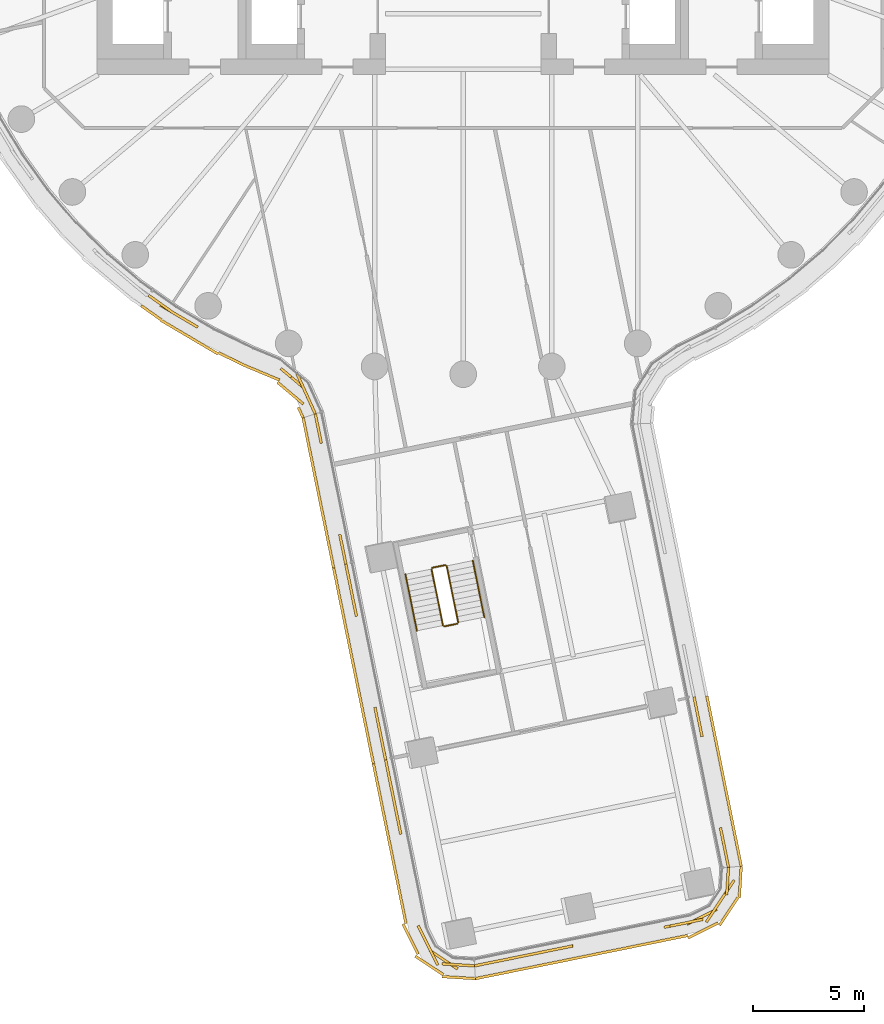
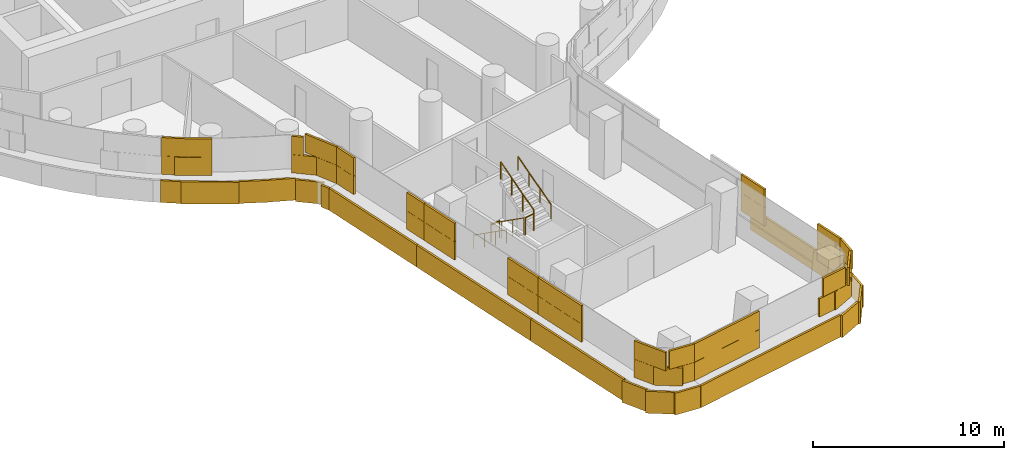
# One storey, part 24 of 31: 6 coverings, 6 railings.
"""IFC4 building model written with IfcOpenShell, lengths in metres."""

from ifc_helpers import new_model, si_unit, direction, frame, origin, origin_2d, place, context, subcontext, project, spatial, rectangle, circle, extrude, material, layer, layer_set, type_object, element, save


model = new_model("IFC4")

# Units and contexts
model_context = context("Model", 3, precision=1e-05, world=origin(), true_north=direction((0.0, 1.0)))
body_context = subcontext(model_context, "Body", "Model", "MODEL_VIEW")
ifc_project = project(units=[si_unit("LENGTHUNIT", "METRE"), si_unit("AREAUNIT", "SQUARE_METRE"), si_unit("VOLUMEUNIT", "CUBIC_METRE"), si_unit("PLANEANGLEUNIT", "RADIAN"), si_unit("MASSUNIT", "GRAM", prefix="KILO")], contexts=[model_context])

# Site, building, storey
site_placement = place(None, origin())
site = spatial("IfcSite", under=ifc_project, at=site_placement, CompositionType="ELEMENT")
building_placement = place(site_placement, origin())
building = spatial("IfcBuilding", under=site, at=building_placement, Name="Tamarind Cross Interchange Tower", CompositionType="ELEMENT")
storey_placement = place(building_placement, frame((0.0, 0.0, 75.25)))
storey = spatial("IfcBuildingStorey", under=building, at=storey_placement, Name="L17", CompositionType="ELEMENT", Elevation=75.25)

# Railings
ifc_material_1 = material(Name="Stair guard")
railing_type_1 = type_object("IfcRailingType", Name="Stair guard", PredefinedType="GUARDRAIL", material=ifc_material_1)
railing_1_placement = place(storey_placement, frame((-1.429931640625, -31.781005859375, 0.17041015625)))
element("IfcRailing", 1, at=railing_1_placement, inside=storey, type_object=railing_type_1, Name="L17 ST6 stair guard 1", PredefinedType="GUARDRAIL", context=body_context, shape_type="SweptSolid", body=[
    extrude(circle(Radius=0.02392578125, at=origin_2d()), frame((0.0, 0.0, 1.076171875), z_axis=(0.166637125559, -0.819521697612, 0.548284830656), x_axis=(0.979947229577, 0.199257188689, 0.0)), (0.0, 0.0, 1.0), 3.10888671875),
    extrude(circle(Radius=0.02099609375, at=origin_2d()), origin(), (0.0, 0.0, 1.0), 1.052001953125),
    extrude(circle(Radius=0.02099609375, at=origin_2d()), frame((0.172607421875, -0.849365234375, 0.568115234375)), (0.0, 0.0, 1.0), 1.052001953125),
    extrude(circle(Radius=0.02099609375, at=origin_2d()), frame((0.345458984375, -1.698486328125, 1.136474609375)), (0.0, 0.0, 1.0), 1.052001953125),
    extrude(circle(Radius=0.02099609375, at=origin_2d()), frame((0.51806640625, -2.5478515625, 1.70458984375)), (0.0, 0.0, 1.0), 1.052001953125),
])
railing_2_placement = place(storey_placement, frame((-0.852783203125, -34.367919921875, 1.875)))
element("IfcRailing", 2, at=railing_2_placement, inside=storey, type_object=railing_type_1, Name="L17 ST6 stair guard 2", PredefinedType="GUARDRAIL", context=body_context, shape_type="SweptSolid", body=[
    extrude(circle(Radius=0.02392578125, at=origin_2d()), frame((0.0, 0.0, 1.076171875), z_axis=(0.979917798202, 0.199401877541, 0.0), x_axis=(-0.199401877541, 0.979917798202, 0.0)), (0.0, 0.0, 1.0), 0.599853515625),
    extrude(circle(Radius=0.02099609375, at=origin_2d()), origin(), (0.0, 0.0, 1.0), 1.052001953125),
    extrude(circle(Radius=0.02099609375, at=origin_2d()), frame((0.587890625, 0.11962890625, 0.0)), (0.0, 0.0, 1.0), 1.052001953125),
])
railing_3_placement = place(storey_placement, frame((-0.225830078125, -34.189453125, 2.04541015625)))
element("IfcRailing", 3, at=railing_3_placement, inside=storey, type_object=railing_type_1, Name="L17 ST6 stair guard 3", PredefinedType="GUARDRAIL", context=body_context, shape_type="SweptSolid", body=[
    extrude(circle(Radius=0.02392578125, at=origin_2d()), frame((0.0, 0.0, 1.076171875), z_axis=(-0.166637125559, 0.819521697612, 0.548284830656), x_axis=(-0.979947229577, -0.199257188689, 0.0)), (0.0, 0.0, 1.0), 3.10888671875),
    extrude(circle(Radius=0.02099609375, at=origin_2d()), origin(), (0.0, 0.0, 1.0), 1.052001953125),
    extrude(circle(Radius=0.02099609375, at=origin_2d()), frame((-0.172607421875, 0.849365234375, 0.568115234375)), (0.0, 0.0, 1.0), 1.052001953125),
    extrude(circle(Radius=0.02099609375, at=origin_2d()), frame((-0.345458984375, 1.698486328125, 1.136474609375)), (0.0, 0.0, 1.0), 1.052001953125),
    extrude(circle(Radius=0.02099609375, at=origin_2d()), frame((-0.51806640625, 2.5478515625, 1.70458984375)), (0.0, 0.0, 1.0), 1.052001953125),
])
railing_4_placement = place(storey_placement, frame((-1.390869140625, -31.721923828125, 0.0)))
element("IfcRailing", 4, at=railing_4_placement, inside=storey, type_object=railing_type_1, Name="L17 ST6 stair guard 4", PredefinedType="GUARDRAIL", context=body_context, shape_type="SweptSolid", body=[
    extrude(circle(Radius=0.02392578125, at=origin_2d()), frame((0.0, 0.0, 1.076171875), z_axis=(0.980013351067, 0.198931726306, 0.0), x_axis=(-0.198931726306, 0.980013351067, 0.0)), (0.0, 0.0, 1.0), 0.60009765625),
    extrude(circle(Radius=0.02099609375, at=origin_2d()), origin(), (0.0, 0.0, 1.0), 1.052001953125),
    extrude(circle(Radius=0.02099609375, at=origin_2d()), frame((0.588134765625, 0.119384765625, 0.0)), (0.0, 0.0, 1.0), 1.052001953125),
])
ifc_material_2 = material(Name="Stair handrail")
railing_type_2 = type_object("IfcRailingType", Name="Stair handrail", PredefinedType="HANDRAIL", material=ifc_material_2)
railing_5_placement = place(storey_placement, frame((-2.605712890625, -32.02001953125, 0.17041015625)))
element("IfcRailing", 5, at=railing_5_placement, inside=storey, type_object=railing_type_2, Name="L17 ST6 stair handrail 1", PredefinedType="HANDRAIL", context=body_context, shape_type="SweptSolid", body=[
    extrude(circle(Radius=0.02392578125, at=origin_2d()), frame((0.0, 0.0, 0.8759765625), z_axis=(0.166637125559, -0.819521697612, 0.548284830656), x_axis=(0.979947229577, 0.199257188689, 0.0)), (0.0, 0.0, 1.0), 3.10888671875),
    extrude(circle(Radius=0.02099609375, at=origin_2d()), origin(), (0.0, 0.0, 1.0), 0.851806640625),
    extrude(circle(Radius=0.02099609375, at=origin_2d()), frame((0.172607421875, -0.849365234375, 0.568115234375)), (0.0, 0.0, 1.0), 0.851806640625),
    extrude(circle(Radius=0.02099609375, at=origin_2d()), frame((0.345458984375, -1.698486328125, 1.136474609375)), (0.0, 0.0, 1.0), 0.851806640625),
    extrude(circle(Radius=0.02099609375, at=origin_2d()), frame((0.51806640625, -2.5478515625, 1.70458984375)), (0.0, 0.0, 1.0), 0.851806640625),
])
railing_6_placement = place(storey_placement, frame((0.9501953125, -33.9501953125, 2.04541015625)))
element("IfcRailing", 6, at=railing_6_placement, inside=storey, type_object=railing_type_2, Name="L17 ST6 stair handrail 2", PredefinedType="HANDRAIL", context=body_context, shape_type="SweptSolid", body=[
    extrude(circle(Radius=0.02392578125, at=origin_2d()), frame((0.0, 0.0, 0.8759765625), z_axis=(-0.166637125559, 0.819521697612, 0.548284830656), x_axis=(-0.979947229577, -0.199257188689, 0.0)), (0.0, 0.0, 1.0), 3.10888671875),
    extrude(circle(Radius=0.02099609375, at=origin_2d()), origin(), (0.0, 0.0, 1.0), 0.851806640625),
    extrude(circle(Radius=0.02099609375, at=origin_2d()), frame((-0.172607421875, 0.849365234375, 0.568115234375)), (0.0, 0.0, 1.0), 0.851806640625),
    extrude(circle(Radius=0.02099609375, at=origin_2d()), frame((-0.345458984375, 1.698486328125, 1.136474609375)), (0.0, 0.0, 1.0), 0.851806640625),
    extrude(circle(Radius=0.02099609375, at=origin_2d()), frame((-0.51806640625, 2.5478515625, 1.70458984375)), (0.0, 0.0, 1.0), 0.851806640625),
])

# Coverings
ifc_material_3 = material(Name="Terracotta", Category="masonry")
ifc_layer = layer(ifc_material_3, 0.1201171875)
ifc_layer_set = layer_set([ifc_layer], Name="Terracotta")
covering_type = type_object("IfcCoveringType", Name="Terracotta baguette screen unit", PredefinedType="MOLDING", material=ifc_layer_set)
covering_1_placement = place(storey_placement, origin())
element("IfcCovering", 7, at=covering_1_placement, inside=storey, type_object=covering_type, Name="SCR-L17-02-01", PredefinedType="MOLDING", context=body_context, shape_type="SweptSolid", body=[
    extrude(rectangle(XDim=0.69775390625, YDim=0.1201171875, at=origin_2d()), frame((-13.897216796875, -19.647216796875, 1.404052734375), z_axis=(0.0, 0.0, 1.0), x_axis=(0.816341886298, -0.577568978284, 0.0)), (0.0, 0.0, 1.0), 1.1669921875),
    extrude(rectangle(XDim=1.52001953125, YDim=0.1201171875, at=origin_2d()), frame((-12.99951171875, -20.27197265625, 1.404052734375), z_axis=(0.0, 0.0, 1.0), x_axis=(0.861248933065, -0.508183308752, 0.0)), (0.0, 0.0, 1.0), 1.1669921875),
    extrude(rectangle(XDim=0.454345703125, YDim=0.1201171875, at=origin_2d()), frame((-12.162353515625, -20.76611328125, 1.404052734375), z_axis=(0.0, 0.0, 1.0), x_axis=(0.861248933065, -0.508183308752, 0.0)), (0.0, 0.0, 1.0), 1.1669921875),
    extrude(rectangle(XDim=1.36572265625, YDim=0.1201171875, at=origin_2d()), frame((-7.70068359375, -23.178955078125, 1.404052734375), z_axis=(0.0, 0.0, 1.0), x_axis=(0.766413284923, -0.642347784844, 0.0)), (0.0, 0.0, 1.0), 1.1669921875),
    extrude(rectangle(XDim=1.286376953125, YDim=0.1201171875, at=origin_2d()), frame((-6.9326171875, -24.20751953125, 1.404052734375), z_axis=(0.0, 0.0, 1.0), x_axis=(0.414428307748, -0.910081962098, 0.0)), (0.0, 0.0, 1.0), 1.1669921875),
    extrude(rectangle(XDim=1.44775390625, YDim=0.1201171875, at=origin_2d()), frame((-13.591064453125, -19.864013671875, 2.5791015625), z_axis=(0.0, 0.0, 1.0), x_axis=(0.816341886298, -0.577568978284, 0.0)), (0.0, 0.0, 1.0), 1.1669921875),
    extrude(rectangle(XDim=1.204345703125, YDim=0.1201171875, at=origin_2d()), frame((-12.4853515625, -20.575439453125, 2.5791015625), z_axis=(0.0, 0.0, 1.0), x_axis=(0.861248933065, -0.508183308752, 0.0)), (0.0, 0.0, 1.0), 1.1669921875),
    extrude(rectangle(XDim=0.61572265625, YDim=0.1201171875, at=origin_2d()), frame((-7.988037109375, -22.938232421875, 2.5791015625), z_axis=(0.0, 0.0, 1.0), x_axis=(0.766413284923, -0.642347784844, 0.0)), (0.0, 0.0, 1.0), 1.1669921875),
    extrude(rectangle(XDim=1.52001953125, YDim=0.1201171875, at=origin_2d()), frame((-7.197021484375, -23.626708984375, 2.5791015625), z_axis=(0.0, 0.0, 1.0), x_axis=(0.414428307748, -0.910081962098, 0.0)), (0.0, 0.0, 1.0), 1.1669921875),
    extrude(rectangle(XDim=0.536376953125, YDim=0.1201171875, at=origin_2d()), frame((-6.77734375, -24.548583984375, 2.5791015625), z_axis=(0.0, 0.0, 1.0), x_axis=(0.414428307748, -0.910081962098, 0.0)), (0.0, 0.0, 1.0), 1.1669921875),
    extrude(rectangle(XDim=1.097900390625, YDim=0.1201171875, at=origin_2d()), frame((-14.06787109375, -20.229736328125, 0.00390625), z_axis=(0.0, 0.0, 1.0), x_axis=(0.816341886298, -0.577568978284, 0.0)), (0.0, 0.0, 1.0), 1.39208984375),
    extrude(rectangle(XDim=1.52001953125, YDim=0.1201171875, at=origin_2d()), frame((-12.994384765625, -20.941650390625, 0.00390625), z_axis=(0.0, 0.0, 1.0), x_axis=(0.861248933065, -0.508183308752, 0.0)), (0.0, 0.0, 1.0), 1.39208984375),
    extrude(rectangle(XDim=1.52001953125, YDim=0.1201171875, at=origin_2d()), frame((-11.70263671875, -21.703857421875, 0.00390625), z_axis=(0.0, 0.0, 1.0), x_axis=(0.861248933065, -0.508183308752, 0.0)), (0.0, 0.0, 1.0), 1.39208984375),
    extrude(rectangle(XDim=1.52001953125, YDim=0.1201171875, at=origin_2d()), frame((-10.354736328125, -22.36181640625, 0.00390625), z_axis=(0.0, 0.0, 1.0), x_axis=(0.900272776334, -0.435326231914, 0.0)), (0.0, 0.0, 1.0), 1.39208984375),
    extrude(rectangle(XDim=1.52001953125, YDim=0.1201171875, at=origin_2d()), frame((-8.984375, -22.969970703125, 0.00390625), z_axis=(0.0, 0.0, 1.0), x_axis=(0.922626732478, -0.385694065961, 0.0)), (0.0, 0.0, 1.0), 1.39208984375),
    extrude(rectangle(XDim=1.52001953125, YDim=0.1201171875, at=origin_2d()), frame((-7.787109375, -23.85546875, 0.00390625), z_axis=(0.0, 0.0, 1.0), x_axis=(0.766413284923, -0.642347784844, 0.0)), (0.0, 0.0, 1.0), 1.39208984375),
    extrude(rectangle(XDim=0.520263671875, YDim=0.1201171875, at=origin_2d()), frame((-7.325439453125, -24.729736328125, 0.00390625), z_axis=(0.0, 0.0, 1.0), x_axis=(0.414428307748, -0.910081962098, 0.0)), (0.0, 0.0, 1.0), 1.39208984375),
])
covering_2_placement = place(storey_placement, origin())
element("IfcCovering", 8, at=covering_2_placement, inside=storey, type_object=covering_type, Name="SCR-L17-03-00", PredefinedType="MOLDING", context=body_context, shape_type="SweptSolid", body=[
    extrude(rectangle(XDim=0.760009765625, YDim=0.1201171875, at=origin_2d()), frame((-6.593505859375, -25.15576171875, 1.404052734375), z_axis=(0.0, 0.0, 1.0), x_axis=(0.199244791873, -0.979949750197, 0.0)), (0.0, 0.0, 1.0), 1.1669921875),
    extrude(rectangle(XDim=0.613525390625, YDim=0.1201171875, at=origin_2d()), frame((-6.45849609375, -25.81884765625, 1.404052734375), z_axis=(0.0, 0.0, 1.0), x_axis=(0.199244791873, -0.979949750197, 0.0)), (0.0, 0.0, 1.0), 1.1669921875),
    extrude(rectangle(XDim=1.20654296875, YDim=0.1201171875, at=origin_2d()), frame((-5.4423828125, -30.816650390625, 1.404052734375), z_axis=(0.0, 0.0, 1.0), x_axis=(0.199244791873, -0.979949750197, 0.0)), (0.0, 0.0, 1.0), 1.1669921875),
    extrude(rectangle(XDim=0.1669921875, YDim=0.1201171875, at=origin_2d()), frame((-5.3076171875, -31.479736328125, 1.404052734375), z_axis=(0.0, 0.0, 1.0), x_axis=(0.199244791873, -0.979949750197, 0.0)), (0.0, 0.0, 1.0), 1.1669921875),
    extrude(rectangle(XDim=1.353515625, YDim=0.1201171875, at=origin_2d()), frame((-6.533447265625, -25.451416015625, 2.5791015625), z_axis=(0.0, 0.0, 1.0), x_axis=(0.199244791873, -0.979949750197, 0.0)), (0.0, 0.0, 1.0), 1.1669921875),
    extrude(rectangle(XDim=0.45654296875, YDim=0.1201171875, at=origin_2d()), frame((-5.51708984375, -30.44921875, 2.5791015625), z_axis=(0.0, 0.0, 1.0), x_axis=(0.199244791873, -0.979949750197, 0.0)), (0.0, 0.0, 1.0), 1.1669921875),
    extrude(rectangle(XDim=0.9169921875, YDim=0.1201171875, at=origin_2d()), frame((-5.38232421875, -31.1123046875, 2.5791015625), z_axis=(0.0, 0.0, 1.0), x_axis=(0.199244791873, -0.979949750197, 0.0)), (0.0, 0.0, 1.0), 1.1669921875),
    extrude(rectangle(XDim=0.760009765625, YDim=0.1201171875, at=origin_2d()), frame((-7.141845703125, -25.3388671875, 0.00390625), z_axis=(0.0, 0.0, 1.0), x_axis=(0.199244791873, -0.979949750197, 0.0)), (0.0, 0.0, 1.0), 1.39208984375),
    extrude(rectangle(XDim=1.52001953125, YDim=0.1201171875, at=origin_2d()), frame((-6.918701171875, -26.4365234375, 0.00390625), z_axis=(0.0, 0.0, 1.0), x_axis=(0.199244791873, -0.979949750197, 0.0)), (0.0, 0.0, 1.0), 1.39208984375),
    extrude(rectangle(XDim=1.52001953125, YDim=0.1201171875, at=origin_2d()), frame((-6.619873046875, -27.906494140625, 0.00390625), z_axis=(0.0, 0.0, 1.0), x_axis=(0.199244791873, -0.979949750197, 0.0)), (0.0, 0.0, 1.0), 1.39208984375),
    extrude(rectangle(XDim=1.52001953125, YDim=0.1201171875, at=origin_2d()), frame((-6.321044921875, -29.37646484375, 0.00390625), z_axis=(0.0, 0.0, 1.0), x_axis=(0.199244791873, -0.979949750197, 0.0)), (0.0, 0.0, 1.0), 1.39208984375),
    extrude(rectangle(XDim=1.52001953125, YDim=0.1201171875, at=origin_2d()), frame((-6.022216796875, -30.84619140625, 0.00390625), z_axis=(0.0, 0.0, 1.0), x_axis=(0.199244791873, -0.979949750197, 0.0)), (0.0, 0.0, 1.0), 1.39208984375),
    extrude(rectangle(XDim=0.169921875, YDim=0.1201171875, at=origin_2d()), frame((-5.85791015625, -31.65478515625, 0.00390625), z_axis=(0.0, 0.0, 1.0), x_axis=(0.199244791873, -0.979949750197, 0.0)), (0.0, 0.0, 1.0), 1.39208984375),
])
covering_3_placement = place(storey_placement, origin())
element("IfcCovering", 9, at=covering_3_placement, inside=storey, type_object=covering_type, Name="SCR-L17-03-01", PredefinedType="MOLDING", context=body_context, shape_type="SweptSolid", body=[
    extrude(rectangle(XDim=1.35302734375, YDim=0.1201171875, at=origin_2d()), frame((-5.158203125, -32.21484375, 1.404052734375), z_axis=(0.0, 0.0, 1.0), x_axis=(0.199244791873, -0.979949750197, 0.0)), (0.0, 0.0, 1.0), 1.1669921875),
    extrude(rectangle(XDim=1.0673828125, YDim=0.1201171875, at=origin_2d()), frame((-4.9189453125, -33.390869140625, 1.404052734375), z_axis=(0.0, 0.0, 1.0), x_axis=(0.199244791873, -0.979949750197, 0.0)), (0.0, 0.0, 1.0), 1.1669921875),
    extrude(rectangle(XDim=0.752685546875, YDim=0.1201171875, at=origin_2d()), frame((-3.90283203125, -38.388671875, 1.404052734375), z_axis=(0.0, 0.0, 1.0), x_axis=(0.199244791873, -0.979949750197, 0.0)), (0.0, 0.0, 1.0), 1.1669921875),
    extrude(rectangle(XDim=1.52001953125, YDim=0.1201171875, at=origin_2d()), frame((-3.679443359375, -39.4873046875, 1.404052734375), z_axis=(0.0, 0.0, 1.0), x_axis=(0.199244791873, -0.979949750197, 0.0)), (0.0, 0.0, 1.0), 1.1669921875),
    extrude(rectangle(XDim=0.16748046875, YDim=0.1201171875, at=origin_2d()), frame((-3.514404296875, -40.299560546875, 1.404052734375), z_axis=(0.0, 0.0, 1.0), x_axis=(0.199244791873, -0.979949750197, 0.0)), (0.0, 0.0, 1.0), 1.1669921875),
    extrude(rectangle(XDim=0.60302734375, YDim=0.1201171875, at=origin_2d()), frame((-5.23291015625, -31.84716796875, 2.5791015625), z_axis=(0.0, 0.0, 1.0), x_axis=(0.199244791873, -0.979949750197, 0.0)), (0.0, 0.0, 1.0), 1.1669921875),
    extrude(rectangle(XDim=1.52001953125, YDim=0.1201171875, at=origin_2d()), frame((-5.0244140625, -32.872802734375, 2.5791015625), z_axis=(0.0, 0.0, 1.0), x_axis=(0.199244791873, -0.979949750197, 0.0)), (0.0, 0.0, 1.0), 1.1669921875),
    extrude(rectangle(XDim=0.3173828125, YDim=0.1201171875, at=origin_2d()), frame((-4.84423828125, -33.75830078125, 2.5791015625), z_axis=(0.0, 0.0, 1.0), x_axis=(0.199244791873, -0.979949750197, 0.0)), (0.0, 0.0, 1.0), 1.1669921875),
    extrude(rectangle(XDim=1.502685546875, YDim=0.1201171875, at=origin_2d()), frame((-3.828125, -38.756103515625, 2.5791015625), z_axis=(0.0, 0.0, 1.0), x_axis=(0.199244791873, -0.979949750197, 0.0)), (0.0, 0.0, 1.0), 1.1669921875),
    extrude(rectangle(XDim=0.91748046875, YDim=0.1201171875, at=origin_2d()), frame((-3.589111328125, -39.93212890625, 2.5791015625), z_axis=(0.0, 0.0, 1.0), x_axis=(0.199244791873, -0.979949750197, 0.0)), (0.0, 0.0, 1.0), 1.1669921875),
    extrude(rectangle(XDim=1.349853515625, YDim=0.1201171875, at=origin_2d()), frame((-5.706298828125, -32.3994140625, 0.00390625), z_axis=(0.0, 0.0, 1.0), x_axis=(0.199244791873, -0.979949750197, 0.0)), (0.0, 0.0, 1.0), 1.39208984375),
    extrude(rectangle(XDim=1.52001953125, YDim=0.1201171875, at=origin_2d()), frame((-5.42431640625, -33.7861328125, 0.00390625), z_axis=(0.0, 0.0, 1.0), x_axis=(0.199244791873, -0.979949750197, 0.0)), (0.0, 0.0, 1.0), 1.39208984375),
    extrude(rectangle(XDim=1.52001953125, YDim=0.1201171875, at=origin_2d()), frame((-5.12548828125, -35.256103515625, 0.00390625), z_axis=(0.0, 0.0, 1.0), x_axis=(0.199244791873, -0.979949750197, 0.0)), (0.0, 0.0, 1.0), 1.39208984375),
    extrude(rectangle(XDim=1.52001953125, YDim=0.1201171875, at=origin_2d()), frame((-4.82666015625, -36.72607421875, 0.00390625), z_axis=(0.0, 0.0, 1.0), x_axis=(0.199244791873, -0.979949750197, 0.0)), (0.0, 0.0, 1.0), 1.39208984375),
    extrude(rectangle(XDim=1.52001953125, YDim=0.1201171875, at=origin_2d()), frame((-4.52783203125, -38.19580078125, 0.00390625), z_axis=(0.0, 0.0, 1.0), x_axis=(0.199244791873, -0.979949750197, 0.0)), (0.0, 0.0, 1.0), 1.39208984375),
    extrude(rectangle(XDim=1.52001953125, YDim=0.1201171875, at=origin_2d()), frame((-4.22900390625, -39.665771484375, 0.00390625), z_axis=(0.0, 0.0, 1.0), x_axis=(0.199244791873, -0.979949750197, 0.0)), (0.0, 0.0, 1.0), 1.39208984375),
    extrude(rectangle(XDim=0.17431640625, YDim=0.1201171875, at=origin_2d()), frame((-4.064208984375, -40.4765625, 0.00390625), z_axis=(0.0, 0.0, 1.0), x_axis=(0.199244791873, -0.979949750197, 0.0)), (0.0, 0.0, 1.0), 1.39208984375),
])
covering_4_placement = place(storey_placement, origin())
element("IfcCovering", 10, at=covering_4_placement, inside=storey, type_object=covering_type, Name="SCR-L17-03-02", PredefinedType="MOLDING", context=body_context, shape_type="SweptSolid", body=[
    extrude(rectangle(XDim=1.3525390625, YDim=0.1201171875, at=origin_2d()), frame((-3.364990234375, -41.03466796875, 1.404052734375), z_axis=(0.0, 0.0, 1.0), x_axis=(0.199244791873, -0.979949750197, 0.0)), (0.0, 0.0, 1.0), 1.1669921875),
    extrude(rectangle(XDim=1.52001953125, YDim=0.1201171875, at=origin_2d()), frame((-3.081787109375, -42.42724609375, 1.404052734375), z_axis=(0.0, 0.0, 1.0), x_axis=(0.199244791873, -0.979949750197, 0.0)), (0.0, 0.0, 1.0), 1.1669921875),
    extrude(rectangle(XDim=0.594970703125, YDim=0.1201171875, at=origin_2d()), frame((-2.8740234375, -43.44873046875, 1.404052734375), z_axis=(0.0, 0.0, 1.0), x_axis=(0.199244791873, -0.979949750197, 0.0)), (0.0, 0.0, 1.0), 1.1669921875),
    extrude(rectangle(XDim=1.22509765625, YDim=0.1201171875, at=origin_2d()), frame((-1.757568359375, -48.412109375, 1.404052734375), z_axis=(0.0, 0.0, 1.0), x_axis=(0.446085348818, -0.894990425407, 0.0)), (0.0, 0.0, 1.0), 1.1669921875),
    extrude(rectangle(XDim=1.52001953125, YDim=0.1201171875, at=origin_2d()), frame((-0.883544921875, -49.3896484375, 1.404052734375), z_axis=(0.0, 0.0, 1.0), x_axis=(0.833816457036, -0.552041770137, 0.0)), (0.0, 0.0, 1.0), 1.1669921875),
    extrude(rectangle(XDim=0.72216796875, YDim=0.1201171875, at=origin_2d()), frame((0.15625, -49.649169921875, 1.404052734375), z_axis=(0.0, 0.0, 1.0), x_axis=(0.998127118955, -0.061173968371, 0.0)), (0.0, 0.0, 1.0), 1.1669921875),
    extrude(rectangle(XDim=0.6025390625, YDim=0.1201171875, at=origin_2d()), frame((-3.439697265625, -40.6669921875, 2.5791015625), z_axis=(0.0, 0.0, 1.0), x_axis=(0.199244791873, -0.979949750197, 0.0)), (0.0, 0.0, 1.0), 1.1669921875),
    extrude(rectangle(XDim=1.52001953125, YDim=0.1201171875, at=origin_2d()), frame((-3.231201171875, -41.6923828125, 2.5791015625), z_axis=(0.0, 0.0, 1.0), x_axis=(0.199244791873, -0.979949750197, 0.0)), (0.0, 0.0, 1.0), 1.1669921875),
    extrude(rectangle(XDim=1.344970703125, YDim=0.1201171875, at=origin_2d()), frame((-2.94873046875, -43.081298828125, 2.5791015625), z_axis=(0.0, 0.0, 1.0), x_axis=(0.199244791873, -0.979949750197, 0.0)), (0.0, 0.0, 1.0), 1.1669921875),
    extrude(rectangle(XDim=0.47509765625, YDim=0.1201171875, at=origin_2d()), frame((-1.9248046875, -48.076416015625, 2.5791015625), z_axis=(0.0, 0.0, 1.0), x_axis=(0.446085348818, -0.894990425407, 0.0)), (0.0, 0.0, 1.0), 1.1669921875),
    extrude(rectangle(XDim=1.52001953125, YDim=0.1201171875, at=origin_2d()), frame((-1.486572265625, -48.955810546875, 2.5791015625), z_axis=(0.0, 0.0, 1.0), x_axis=(0.446085348818, -0.894990425407, 0.0)), (0.0, 0.0, 1.0), 1.1669921875),
    extrude(rectangle(XDim=1.47216796875, YDim=0.1201171875, at=origin_2d()), frame((-0.218017578125, -49.626220703125, 2.5791015625), z_axis=(0.0, 0.0, 1.0), x_axis=(0.998127118955, -0.061173968371, 0.0)), (0.0, 0.0, 1.0), 1.1669921875),
    extrude(rectangle(XDim=1.345458984375, YDim=0.1201171875, at=origin_2d()), frame((-3.912841796875, -41.22119140625, 0.00390625), z_axis=(0.0, 0.0, 1.0), x_axis=(0.199244791873, -0.979949750197, 0.0)), (0.0, 0.0, 1.0), 1.39208984375),
    extrude(rectangle(XDim=1.52001953125, YDim=0.1201171875, at=origin_2d()), frame((-3.63134765625, -42.605712890625, 0.00390625), z_axis=(0.0, 0.0, 1.0), x_axis=(0.199244791873, -0.979949750197, 0.0)), (0.0, 0.0, 1.0), 1.39208984375),
    extrude(rectangle(XDim=1.52001953125, YDim=0.1201171875, at=origin_2d()), frame((-3.332275390625, -44.07568359375, 0.00390625), z_axis=(0.0, 0.0, 1.0), x_axis=(0.199244791873, -0.979949750197, 0.0)), (0.0, 0.0, 1.0), 1.39208984375),
    extrude(rectangle(XDim=1.52001953125, YDim=0.1201171875, at=origin_2d()), frame((-3.033447265625, -45.54541015625, 0.00390625), z_axis=(0.0, 0.0, 1.0), x_axis=(0.199244791873, -0.979949750197, 0.0)), (0.0, 0.0, 1.0), 1.39208984375),
    extrude(rectangle(XDim=1.52001953125, YDim=0.1201171875, at=origin_2d()), frame((-2.734619140625, -47.015380859375, 0.00390625), z_axis=(0.0, 0.0, 1.0), x_axis=(0.199244791873, -0.979949750197, 0.0)), (0.0, 0.0, 1.0), 1.39208984375),
    extrude(rectangle(XDim=1.52001953125, YDim=0.1201171875, at=origin_2d()), frame((-2.373291015625, -48.4638671875, 0.00390625), z_axis=(0.0, 0.0, 1.0), x_axis=(0.446085348818, -0.894990425407, 0.0)), (0.0, 0.0, 1.0), 1.39208984375),
    extrude(rectangle(XDim=1.52001953125, YDim=0.1201171875, at=origin_2d()), frame((-1.5283203125, -49.65087890625, 0.00390625), z_axis=(0.0, 0.0, 1.0), x_axis=(0.833816457036, -0.552041770137, 0.0)), (0.0, 0.0, 1.0), 1.39208984375),
    extrude(rectangle(XDim=1.498779296875, YDim=0.1201171875, at=origin_2d()), frame((-0.196044921875, -50.20263671875, 0.00390625), z_axis=(0.0, 0.0, 1.0), x_axis=(0.998127118955, -0.061173968371, 0.0)), (0.0, 0.0, 1.0), 1.39208984375),
])
covering_5_placement = place(storey_placement, origin())
element("IfcCovering", 11, at=covering_5_placement, inside=storey, type_object=covering_type, Name="SCR-L17-04-00", PredefinedType="MOLDING", context=body_context, shape_type="SweptSolid", body=[
    extrude(rectangle(XDim=0.760009765625, YDim=0.1201171875, at=origin_2d()), frame((0.879150390625, -49.59619140625, 1.404052734375), z_axis=(0.0, 0.0, 1.0), x_axis=(0.979949750197, 0.199244791873, 0.0)), (0.0, 0.0, 1.0), 1.1669921875),
    extrude(rectangle(XDim=1.52001953125, YDim=0.1201171875, at=origin_2d()), frame((1.981689453125, -49.3720703125, 1.404052734375), z_axis=(0.0, 0.0, 1.0), x_axis=(0.979949750197, 0.199244791873, 0.0)), (0.0, 0.0, 1.0), 1.1669921875),
    extrude(rectangle(XDim=1.52001953125, YDim=0.1201171875, at=origin_2d()), frame((3.45166015625, -49.0732421875, 1.404052734375), z_axis=(0.0, 0.0, 1.0), x_axis=(0.979949750197, 0.199244791873, 0.0)), (0.0, 0.0, 1.0), 1.1669921875),
    extrude(rectangle(XDim=0.784912109375, YDim=0.1201171875, at=origin_2d()), frame((4.566162109375, -48.846435546875, 1.404052734375), z_axis=(0.0, 0.0, 1.0), x_axis=(0.979949750197, 0.199244791873, 0.0)), (0.0, 0.0, 1.0), 1.1669921875),
    extrude(rectangle(XDim=1.03515625, YDim=0.1201171875, at=origin_2d()), frame((9.56396484375, -47.830322265625, 1.404052734375), z_axis=(0.0, 0.0, 1.0), x_axis=(0.979949750197, 0.199244791873, 0.0)), (0.0, 0.0, 1.0), 1.1669921875),
    extrude(rectangle(XDim=1.52001953125, YDim=0.1201171875, at=origin_2d()), frame((10.7607421875, -47.461181640625, 1.404052734375), z_axis=(0.0, 0.0, 1.0), x_axis=(0.894990425407, 0.446085348818, 0.0)), (0.0, 0.0, 1.0), 1.1669921875),
    extrude(rectangle(XDim=1.52001953125, YDim=0.1201171875, at=origin_2d()), frame((11.792724609375, -46.441162109375, 1.404052734375), z_axis=(0.0, 0.0, 1.0), x_axis=(0.552041770137, 0.833816457036, 0.0)), (0.0, 0.0, 1.0), 1.1669921875),
    extrude(rectangle(XDim=0.509521484375, YDim=0.1201171875, at=origin_2d()), frame((11.941650390625, -45.47265625, 1.404052734375), z_axis=(0.0, 0.0, 1.0), x_axis=(0.061173968371, 0.998127118955, 0.0)), (0.0, 0.0, 1.0), 1.1669921875),
    extrude(rectangle(XDim=1.510009765625, YDim=0.1201171875, at=origin_2d()), frame((1.24658203125, -49.521484375, 2.5791015625), z_axis=(0.0, 0.0, 1.0), x_axis=(0.979949750197, 0.199244791873, 0.0)), (0.0, 0.0, 1.0), 1.1669921875),
    extrude(rectangle(XDim=1.52001953125, YDim=0.1201171875, at=origin_2d()), frame((2.716552734375, -49.22265625, 2.5791015625), z_axis=(0.0, 0.0, 1.0), x_axis=(0.979949750197, 0.199244791873, 0.0)), (0.0, 0.0, 1.0), 1.1669921875),
    extrude(rectangle(XDim=1.52001953125, YDim=0.1201171875, at=origin_2d()), frame((4.1865234375, -48.923828125, 2.5791015625), z_axis=(0.0, 0.0, 1.0), x_axis=(0.979949750197, 0.199244791873, 0.0)), (0.0, 0.0, 1.0), 1.1669921875),
    extrude(rectangle(XDim=1.52001953125, YDim=0.1201171875, at=origin_2d()), frame((10.066162109375, -47.728271484375, 2.5791015625), z_axis=(0.0, 0.0, 1.0), x_axis=(0.979949750197, 0.199244791873, 0.0)), (0.0, 0.0, 1.0), 1.1669921875),
    extrude(rectangle(XDim=1.52001953125, YDim=0.1201171875, at=origin_2d()), frame((11.378662109375, -47.066650390625, 2.5791015625), z_axis=(0.0, 0.0, 1.0), x_axis=(0.552041770137, 0.833816457036, 0.0)), (0.0, 0.0, 1.0), 1.1669921875),
    extrude(rectangle(XDim=1.259521484375, YDim=0.1201171875, at=origin_2d()), frame((11.918701171875, -45.846923828125, 2.5791015625), z_axis=(0.0, 0.0, 1.0), x_axis=(0.061173968371, 0.998127118955, 0.0)), (0.0, 0.0, 1.0), 1.1669921875),
    extrude(rectangle(XDim=0.760009765625, YDim=0.1201171875, at=origin_2d()), frame((0.92431640625, -50.1728515625, 0.00390625), z_axis=(0.0, 0.0, 1.0), x_axis=(0.979949750197, 0.199244791873, 0.0)), (0.0, 0.0, 1.0), 1.39208984375),
    extrude(rectangle(XDim=1.52001953125, YDim=0.1201171875, at=origin_2d()), frame((2.02197265625, -49.94970703125, 0.00390625), z_axis=(0.0, 0.0, 1.0), x_axis=(0.979949750197, 0.199244791873, 0.0)), (0.0, 0.0, 1.0), 1.39208984375),
    extrude(rectangle(XDim=1.52001953125, YDim=0.1201171875, at=origin_2d()), frame((3.491943359375, -49.650634765625, 0.00390625), z_axis=(0.0, 0.0, 1.0), x_axis=(0.979949750197, 0.199244791873, 0.0)), (0.0, 0.0, 1.0), 1.39208984375),
    extrude(rectangle(XDim=1.52001953125, YDim=0.1201171875, at=origin_2d()), frame((4.961669921875, -49.351806640625, 0.00390625), z_axis=(0.0, 0.0, 1.0), x_axis=(0.979949750197, 0.199244791873, 0.0)), (0.0, 0.0, 1.0), 1.39208984375),
    extrude(rectangle(XDim=1.52001953125, YDim=0.1201171875, at=origin_2d()), frame((6.431640625, -49.052978515625, 0.00390625), z_axis=(0.0, 0.0, 1.0), x_axis=(0.979949750197, 0.199244791873, 0.0)), (0.0, 0.0, 1.0), 1.39208984375),
    extrude(rectangle(XDim=1.52001953125, YDim=0.1201171875, at=origin_2d()), frame((7.901611328125, -48.754150390625, 0.00390625), z_axis=(0.0, 0.0, 1.0), x_axis=(0.979949750197, 0.199244791873, 0.0)), (0.0, 0.0, 1.0), 1.39208984375),
    extrude(rectangle(XDim=1.52001953125, YDim=0.1201171875, at=origin_2d()), frame((9.37158203125, -48.455322265625, 0.00390625), z_axis=(0.0, 0.0, 1.0), x_axis=(0.979949750197, 0.199244791873, 0.0)), (0.0, 0.0, 1.0), 1.39208984375),
    extrude(rectangle(XDim=1.52001953125, YDim=0.1201171875, at=origin_2d()), frame((10.81396484375, -48.076171875, 0.00390625), z_axis=(0.0, 0.0, 1.0), x_axis=(0.894990425407, 0.446085348818, 0.0)), (0.0, 0.0, 1.0), 1.39208984375),
    extrude(rectangle(XDim=1.52001953125, YDim=0.1201171875, at=origin_2d()), frame((11.9765625, -47.20361328125, 0.00390625), z_axis=(0.0, 0.0, 1.0), x_axis=(0.552041770137, 0.833816457036, 0.0)), (0.0, 0.0, 1.0), 1.39208984375),
    extrude(rectangle(XDim=1.4267578125, YDim=0.1201171875, at=origin_2d()), frame((12.49072265625, -45.895263671875, 0.00390625), z_axis=(0.0, 0.0, 1.0), x_axis=(0.061173968371, 0.998127118955, 0.0)), (0.0, 0.0, 1.0), 1.39208984375),
])
covering_6_placement = place(storey_placement, origin())
element("IfcCovering", 12, at=covering_6_placement, inside=storey, type_object=covering_type, Name="SCR-L17-05-00", PredefinedType="MOLDING", context=body_context, shape_type="SweptSolid", body=[
    extrude(rectangle(XDim=0.760009765625, YDim=0.1201171875, at=origin_2d()), frame((11.882568359375, -44.855712890625, 1.404052734375), z_axis=(0.0, 0.0, 1.0), x_axis=(-0.19802282903, 0.980197408272, 0.0)), (0.0, 0.0, 1.0), 1.1669921875),
    extrude(rectangle(XDim=1.07373046875, YDim=0.1201171875, at=origin_2d()), frame((11.702880859375, -43.966796875, 1.404052734375), z_axis=(0.0, 0.0, 1.0), x_axis=(-0.19802282903, 0.980197408272, 0.0)), (0.0, 0.0, 1.0), 1.1669921875),
    extrude(rectangle(XDim=0.746337890625, YDim=0.1201171875, at=origin_2d()), frame((10.693115234375, -38.9677734375, 1.404052734375), z_axis=(0.0, 0.0, 1.0), x_axis=(-0.19802282903, 0.980197408272, 0.0)), (0.0, 0.0, 1.0), 1.1669921875),
    extrude(rectangle(XDim=1.08740234375, YDim=0.1201171875, at=origin_2d()), frame((10.513427734375, -38.078857421875, 1.404052734375), z_axis=(0.0, 0.0, 1.0), x_axis=(-0.19802282903, 0.980197408272, 0.0)), (0.0, 0.0, 1.0), 1.1669921875),
    extrude(rectangle(XDim=1.510009765625, YDim=0.1201171875, at=origin_2d()), frame((11.808349609375, -44.488037109375, 2.5791015625), z_axis=(0.0, 0.0, 1.0), x_axis=(-0.19802282903, 0.980197408272, 0.0)), (0.0, 0.0, 1.0), 1.1669921875),
    extrude(rectangle(XDim=0.32373046875, YDim=0.1201171875, at=origin_2d()), frame((11.628662109375, -43.59912109375, 2.5791015625), z_axis=(0.0, 0.0, 1.0), x_axis=(-0.19802282903, 0.980197408272, 0.0)), (0.0, 0.0, 1.0), 1.1669921875),
    extrude(rectangle(XDim=1.496337890625, YDim=0.1201171875, at=origin_2d()), frame((10.618896484375, -38.60009765625, 2.5791015625), z_axis=(0.0, 0.0, 1.0), x_axis=(-0.19802282903, 0.980197408272, 0.0)), (0.0, 0.0, 1.0), 1.1669921875),
    extrude(rectangle(XDim=0.33740234375, YDim=0.1201171875, at=origin_2d()), frame((10.439208984375, -37.711181640625, 2.5791015625), z_axis=(0.0, 0.0, 1.0), x_axis=(-0.19802282903, 0.980197408272, 0.0)), (0.0, 0.0, 1.0), 1.1669921875),
    extrude(rectangle(XDim=0.760009765625, YDim=0.1201171875, at=origin_2d()), frame((12.459228515625, -44.810791015625, 0.00390625), z_axis=(0.0, 0.0, 1.0), x_axis=(-0.19802282903, 0.980197408272, 0.0)), (0.0, 0.0, 1.0), 1.39208984375),
    extrude(rectangle(XDim=1.52001953125, YDim=0.1201171875, at=origin_2d()), frame((12.2373046875, -43.712890625, 0.00390625), z_axis=(0.0, 0.0, 1.0), x_axis=(-0.19802282903, 0.980197408272, 0.0)), (0.0, 0.0, 1.0), 1.39208984375),
    extrude(rectangle(XDim=1.52001953125, YDim=0.1201171875, at=origin_2d()), frame((11.940185546875, -42.24267578125, 0.00390625), z_axis=(0.0, 0.0, 1.0), x_axis=(-0.19802282903, 0.980197408272, 0.0)), (0.0, 0.0, 1.0), 1.39208984375),
    extrude(rectangle(XDim=1.52001953125, YDim=0.1201171875, at=origin_2d()), frame((11.643310546875, -40.7724609375, 0.00390625), z_axis=(0.0, 0.0, 1.0), x_axis=(-0.19802282903, 0.980197408272, 0.0)), (0.0, 0.0, 1.0), 1.39208984375),
    extrude(rectangle(XDim=1.52001953125, YDim=0.1201171875, at=origin_2d()), frame((11.34619140625, -39.302001953125, 0.00390625), z_axis=(0.0, 0.0, 1.0), x_axis=(-0.19802282903, 0.980197408272, 0.0)), (0.0, 0.0, 1.0), 1.39208984375),
    extrude(rectangle(XDim=1.083740234375, YDim=0.1201171875, at=origin_2d()), frame((11.09228515625, -38.045654296875, 0.00390625), z_axis=(0.0, 0.0, 1.0), x_axis=(-0.19802282903, 0.980197408272, 0.0)), (0.0, 0.0, 1.0), 1.39208984375),
])

save(model, "model.ifc")
